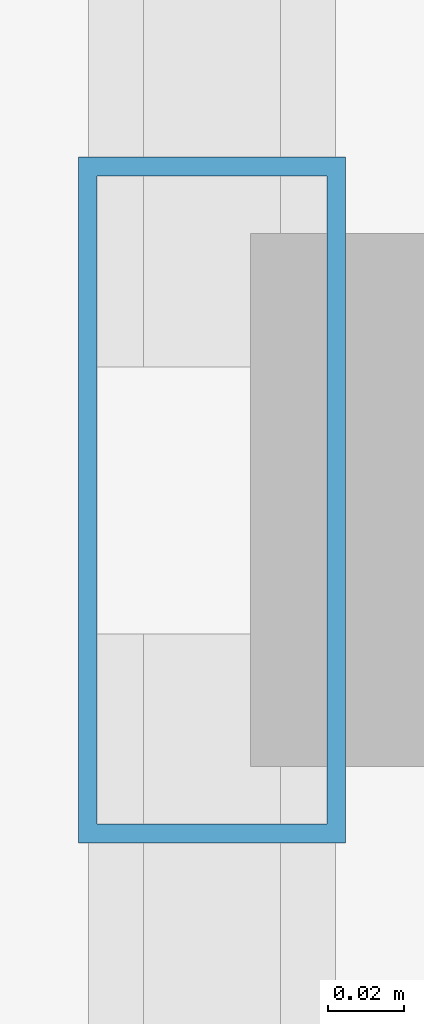
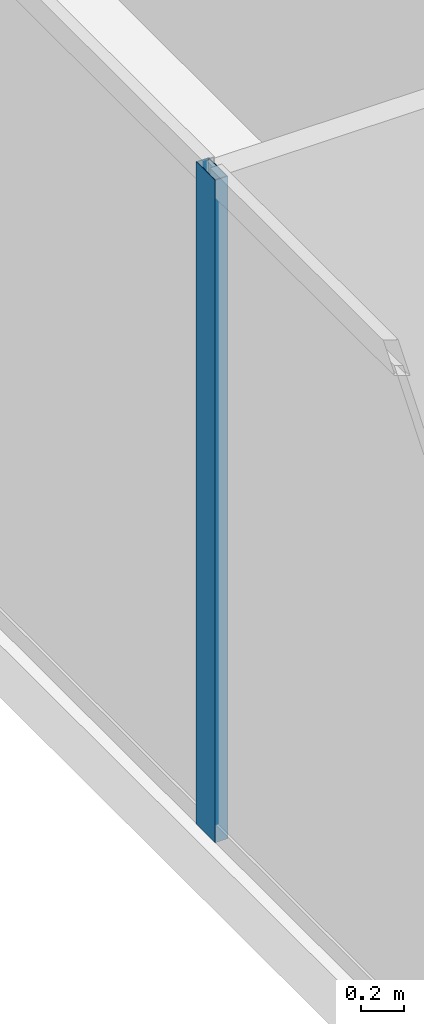
# One storey, part 9 of 33: 1 member, 1 element without a shape of its own.
"""IFC4 building model written with IfcOpenShell, lengths in metres."""

from ifc_helpers import new_model, si_unit, direction, frame, origin, origin_2d, place, context, subcontext, project, spatial, hollow_rectangle, extrude, source, transform, mapped, material, layer, layer_set, material_profile, profile_set, type_object, type_shapes, element, aggregate, save


model = new_model("IFC4")

# Units and contexts
model_context = context("Model", 3, precision=1e-05, world=origin(), true_north=direction((0.0, 1.0)))
body_context = subcontext(model_context, "Body", "Model", "MODEL_VIEW")
ifc_project = project(units=[si_unit("LENGTHUNIT", "METRE"), si_unit("AREAUNIT", "SQUARE_METRE"), si_unit("VOLUMEUNIT", "CUBIC_METRE"), si_unit("PLANEANGLEUNIT", "RADIAN"), si_unit("MASSUNIT", "GRAM", prefix="KILO")], contexts=[model_context])

# Site, building, storey
site_placement = place(None, origin())
site = spatial("IfcSite", under=ifc_project, at=site_placement, CompositionType="ELEMENT")
building_placement = place(site_placement, origin())
building = spatial("IfcBuilding", under=site, at=building_placement, Name="Haelvirn Gate Laboratories", CompositionType="ELEMENT")
storey_placement = place(building_placement, frame((0.0, 0.0, 213.699951171875)))
storey = spatial("IfcBuildingStorey", under=building, at=storey_placement, Name="L51", CompositionType="ELEMENT", Elevation=213.699951171875)

# Curtain wall, member
ifc_material_1 = material(Name="Anodised bronze unitised aluminium & triple low-E glass", Category="aluminium")
ifc_layer = layer(ifc_material_1, 0.176025390625, Name="CW-SYS-4")
ifc_layer_set = layer_set([ifc_layer], Name="Anodised bronze unitised aluminium & triple low-E glass")
curtain_wall_type = type_object("IfcCurtainWallType", Name="CW-SYS-4", PredefinedType="NOTDEFINED", material=ifc_layer_set)
curtain_wall_placement = place(storey_placement, origin())
curtain_wall = element("IfcCurtainWall", 1, at=curtain_wall_placement, inside=storey, type_object=curtain_wall_type, Name="L51 Unitised Curtain Wall CW-L51-P0-E17", PredefinedType="NOTDEFINED")
ifc_material_2 = material(Name="Extruded aluminium 6063-T6 (anodised bronze)", Category="aluminium")
ifc_material_profile = material_profile(ifc_material_2, hollow_rectangle(XDim=0.070068359375, YDim=0.179931640625, WallThickness=0.0048828125, at=origin_2d()), Name="CWM-180x70x5")
ifc_profile_set = profile_set([ifc_material_profile], Name="Extruded aluminium 6063-T6 (anodised bronze)")
member_type = type_object("IfcMemberType", Name="CWM-T180", PredefinedType="MULLION", material=ifc_profile_set)
shared_shape = source(origin(), body_context, "Body", "SweptSolid", [
    extrude(hollow_rectangle(XDim=0.070068359375, YDim=0.179931640625, WallThickness=0.0048828125, at=origin_2d()), origin(), (0.0, 0.0, 1.0), 3.800048828125),
])
type_shapes(member_type, [shared_shape])
member_placement = place(storey_placement, frame((4.10009765625, 24.300048828125, 0.0), z_axis=(0.0, 0.0, 1.0), x_axis=(1.0, 0.0, 0.0)))
member = element("IfcMember", 2, at=member_placement, type_object=member_type, Name="CW4 mullion 2", PredefinedType="MULLION", context=body_context, shape_type="MappedRepresentation", body=[
    mapped(shared_shape, transform((0.0, 0.0, 0.0), scale=1.0)),
])
aggregate(curtain_wall, [member])

save(model, "model.ifc")
